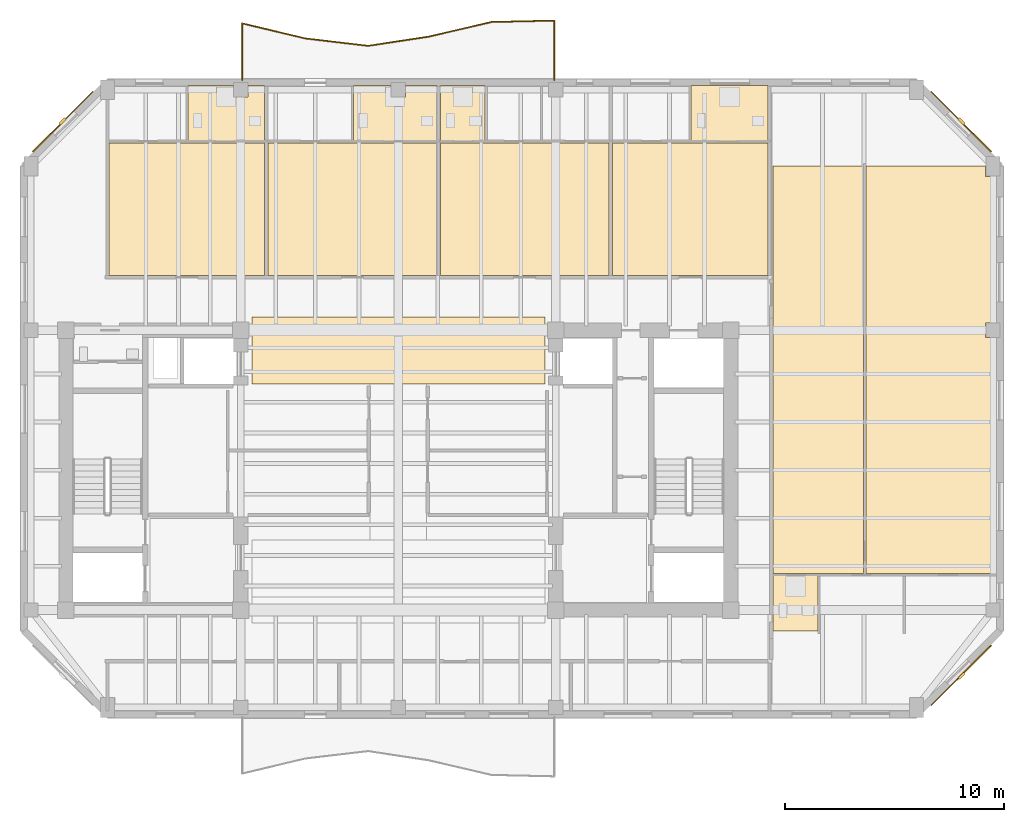
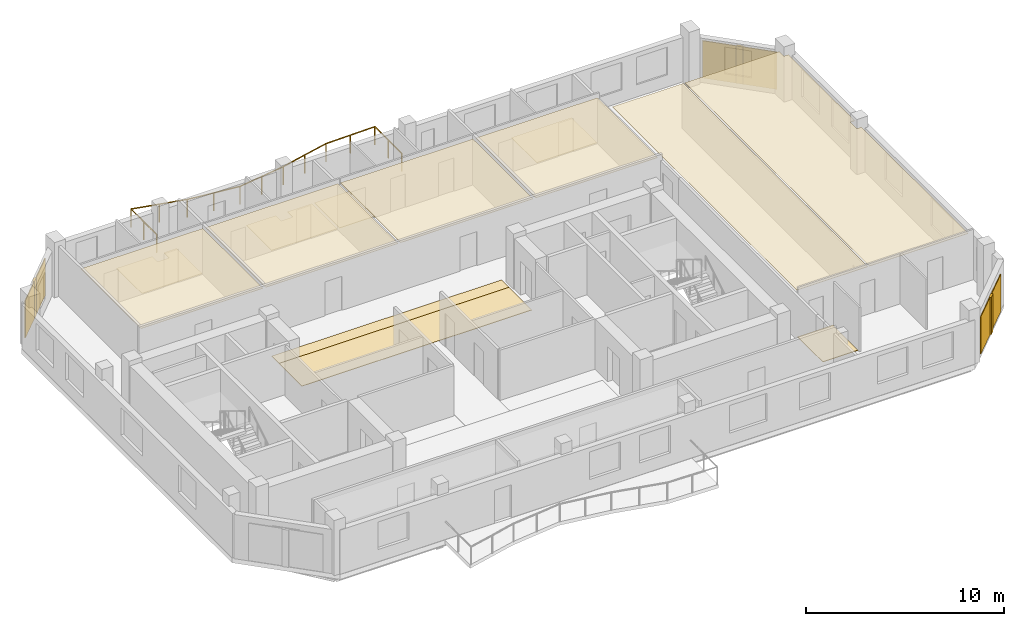
# One storey, part 8 of 9: 16 coverings, 3 shading devices, 1 railing.
"""IFC4 building model written with IfcOpenShell, lengths in metres."""

from ifc_helpers import new_model, si_unit, direction, frame, origin, origin_2d, place, context, subcontext, project, spatial, polyline, rectangle, circle, outline, extrude, material, layer, layer_set, type_object, element, save


model = new_model("IFC4")

# Units and contexts
model_context = context("Model", 3, precision=1e-05, world=origin(), true_north=direction((0.0, 1.0)))
body_context = subcontext(model_context, "Body", "Model", "MODEL_VIEW")
ifc_project = project(units=[si_unit("LENGTHUNIT", "METRE"), si_unit("AREAUNIT", "SQUARE_METRE"), si_unit("VOLUMEUNIT", "CUBIC_METRE"), si_unit("PLANEANGLEUNIT", "RADIAN"), si_unit("MASSUNIT", "GRAM", prefix="KILO")], contexts=[model_context])

# Site, building, storey
site_placement = place(None, origin())
site = spatial("IfcSite", under=ifc_project, at=site_placement, CompositionType="ELEMENT")
building_placement = place(site_placement, origin())
building = spatial("IfcBuilding", under=site, at=building_placement, Name="Kranthara Brick Stack", CompositionType="ELEMENT")
storey_placement = place(building_placement, frame((0.0, 0.0, 261.89990234375)))
storey = spatial("IfcBuildingStorey", under=building, at=storey_placement, Name="L69", CompositionType="ELEMENT", Elevation=261.89990234375)

# Coverings
ifc_material_1 = material(Name="Perforated mineral-fibre acoustic ceiling tile", Category="other")
ifc_layer_1 = layer(ifc_material_1, 0.02490234375)
ifc_layer_set_1 = layer_set([ifc_layer_1], Name="Perforated mineral-fibre acoustic ceiling tile")
covering_type_1 = type_object("IfcCoveringType", Name="COV-CEIL-ACOUSTIC", PredefinedType="CEILING", material=ifc_layer_set_1)
covering_1_placement = place(storey_placement, frame((0.0, 0.0, 2.830078125)))
element("IfcCovering", 1, at=covering_1_placement, inside=storey, type_object=covering_type_1, Name="L69 Unit L69A Studio Apartment Living Acoustic Ceiling", PredefinedType="CEILING", context=body_context, shape_type="SweptSolid", body=[
    extrude(outline(polyline([(21.886962890625, 36.10009765625), (21.886962890625, 42.169921875), (14.780029296875, 42.169921875), (14.780029296875, 36.10009765625), (21.886962890625, 36.10009765625)])), origin(), (0.0, 0.0, 1.0), 0.02490234375),
])
covering_2_placement = place(storey_placement, frame((0.0, 0.0, 2.830078125)))
element("IfcCovering", 2, at=covering_2_placement, inside=storey, type_object=covering_type_1, Name="L69 Unit L69B Studio Apartment Living Acoustic Ceiling", PredefinedType="CEILING", context=body_context, shape_type="SweptSolid", body=[
    extrude(outline(polyline([(29.760009765625, 36.10009765625), (29.760009765625, 42.169921875), (22.047119140625, 42.169921875), (22.047119140625, 36.10009765625), (29.760009765625, 36.10009765625)])), origin(), (0.0, 0.0, 1.0), 0.02490234375),
])
covering_3_placement = place(storey_placement, frame((0.0, 0.0, 2.830078125)))
element("IfcCovering", 3, at=covering_3_placement, inside=storey, type_object=covering_type_1, Name="L69 Unit L69C 1-Bed Apartment Living Dining Acoustic Ceiling", PredefinedType="CEILING", context=body_context, shape_type="SweptSolid", body=[
    extrude(outline(polyline([(37.633056640625, 36.10009765625), (37.633056640625, 42.169921875), (29.919921875, 42.169921875), (29.919921875, 36.10009765625), (37.633056640625, 36.10009765625)])), origin(), (0.0, 0.0, 1.0), 0.02490234375),
])
covering_4_placement = place(storey_placement, frame((0.0, 0.0, 2.830078125)))
element("IfcCovering", 4, at=covering_4_placement, inside=storey, type_object=covering_type_1, Name="L69 Unit L69D Studio Apartment Living Acoustic Ceiling", PredefinedType="CEILING", context=body_context, shape_type="SweptSolid", body=[
    extrude(outline(polyline([(44.89990234375, 36.10009765625), (44.89990234375, 42.169921875), (37.79296875, 42.169921875), (37.79296875, 36.10009765625), (44.89990234375, 36.10009765625)])), origin(), (0.0, 0.0, 1.0), 0.02490234375),
])
covering_5_placement = place(storey_placement, frame((0.0, 0.0, 2.830078125)))
element("IfcCovering", 5, at=covering_5_placement, inside=storey, type_object=covering_type_1, Name="L69 Unit L69E 1-Bed Apartment Living Dining Acoustic Ceiling", PredefinedType="CEILING", context=body_context, shape_type="SweptSolid", body=[
    extrude(outline(polyline([(49.279052734375, 22.47998046875), (49.279052734375, 41.10009765625), (45.139892578125, 41.10009765625), (45.139892578125, 22.47998046875), (49.279052734375, 22.47998046875)])), origin(), (0.0, 0.0, 1.0), 0.02490234375),
])
covering_6_placement = place(storey_placement, frame((0.0, 0.0, 2.830078125)))
element("IfcCovering", 6, at=covering_6_placement, inside=storey, type_object=covering_type_1, Name="L69 Unit L69E Private Study Room Acoustic Ceiling", PredefinedType="CEILING", context=body_context, shape_type="SweptSolid", body=[
    extrude(outline(polyline([(49.37890625, 22.47998046875), (49.37890625, 41.10009765625), (54.864990234375, 41.10009765625), (54.864990234375, 40.639892578125), (55.1298828125, 40.639892578125), (55.1298828125, 33.93505859375), (54.864990234375, 33.93505859375), (54.864990234375, 33.264892578125), (55.1298828125, 33.264892578125), (55.1298828125, 22.47998046875), (49.37890625, 22.47998046875)])), origin(), (0.0, 0.0, 1.0), 0.02490234375),
])
ifc_material_2 = material(Name="Warm buff kiln-fired brick slip rainscreen", Category="masonry")
ifc_layer_2 = layer(ifc_material_2, 0.044921875)
ifc_layer_set_2 = layer_set([ifc_layer_2], Name="Warm buff kiln-fired brick slip rainscreen")
covering_type_2 = type_object("IfcCoveringType", Name="COV-CLAD-BRICK", PredefinedType="CLADDING", material=ifc_layer_set_2)
for number, where, z_axis, x_axis, name in (
    (7, (12.66259765625, 43.13720703125, 0.05029296875), (0.0, 0.0, 1.0), (0.707106781187, 0.707106781187, 0.0), "L69 Chamfer Brick Rainscreen Cladding NW"),
    (8, (53.7373046875, 43.13720703125, 0.05029296875), (0.0, 0.0, 1.0), (0.707106781187, -0.707106781187, 0.0), "L69 Chamfer Brick Rainscreen Cladding NE"),
    (9, (53.7373046875, 17.812744140625, 0.05029296875), (0.0, 0.0, 1.0), (-0.707106781187, -0.707106781187, 0.0), "L69 Chamfer Brick Rainscreen Cladding SE"),
):
    element("IfcCovering", number, at=place(storey_placement, frame(where, z_axis=z_axis, x_axis=x_axis)), inside=storey, type_object=covering_type_2, Name=name, PredefinedType="CLADDING", context=body_context, shape_type="SweptSolid", body=[
        extrude(rectangle(XDim=3.889892578125, YDim=0.044921875, at=origin_2d()), origin(), (0.0, 0.0, 1.0), 2.300048828125),
    ])
ifc_material_3 = material(Name="Honed terrazzo and porcelain floor finish", Category="stone")
ifc_layer_3 = layer(ifc_material_3, 0.030029296875)
ifc_layer_set_3 = layer_set([ifc_layer_3], Name="Honed terrazzo and porcelain floor finish")
covering_type_3 = type_object("IfcCoveringType", Name="COV-FLOR-STONE", PredefinedType="FLOORING", material=ifc_layer_set_3)
covering_7_placement = place(storey_placement, origin())
element("IfcCovering", 10, at=covering_7_placement, inside=storey, type_object=covering_type_3, Name="L69 Lift Lobby Stone Flooring", PredefinedType="FLOORING", context=body_context, shape_type="SweptSolid", body=[
    extrude(outline(polyline([(34.699951171875, 31.14990234375), (34.699951171875, 33.449951171875), (21.300048828125, 33.449951171875), (21.300048828125, 31.14990234375), (34.699951171875, 31.14990234375)])), origin(), (0.0, 0.0, 1.0), 0.030029296875),
])
covering_8_placement = place(storey_placement, origin())
element("IfcCovering", 11, at=covering_8_placement, inside=storey, type_object=covering_type_3, Name="L69 Lift Lobby Stone Flooring", PredefinedType="FLOORING", context=body_context, shape_type="SweptSolid", body=[
    extrude(outline(polyline([(34.699951171875, 33.449951171875), (21.300048828125, 33.449951171875), (21.300048828125, 34.199951171875), (34.699951171875, 34.199951171875), (34.699951171875, 33.449951171875)])), origin(), (0.0, 0.0, 1.0), 0.030029296875),
])
covering_9_placement = place(storey_placement, origin())
element("IfcCovering", 12, at=covering_9_placement, inside=storey, type_object=covering_type_3, Name="L69 Wet Room Porcelain Flooring", PredefinedType="FLOORING", context=body_context, shape_type="SweptSolid", body=[
    extrude(outline(polyline([(21.886962890625, 44.800048828125), (21.886962890625, 42.25), (18.384033203125, 42.25), (18.384033203125, 44.800048828125), (20.465087890625, 44.800048828125), (20.465087890625, 44.264892578125), (21.135009765625, 44.264892578125), (21.135009765625, 44.800048828125), (21.886962890625, 44.800048828125)])), origin(), (0.0, 0.0, 1.0), 0.030029296875),
])
covering_10_placement = place(storey_placement, origin())
element("IfcCovering", 13, at=covering_10_placement, inside=storey, type_object=covering_type_3, Name="L69 Wet Room Porcelain Flooring", PredefinedType="FLOORING", context=body_context, shape_type="SweptSolid", body=[
    extrude(outline(polyline([(29.760009765625, 44.800048828125), (29.760009765625, 42.25), (25.9541015625, 42.25), (25.9541015625, 44.800048828125), (27.6650390625, 44.800048828125), (27.6650390625, 44.264892578125), (28.3349609375, 44.264892578125), (28.3349609375, 44.800048828125), (29.760009765625, 44.800048828125)])), origin(), (0.0, 0.0, 1.0), 0.030029296875),
])
covering_11_placement = place(storey_placement, origin())
element("IfcCovering", 14, at=covering_11_placement, inside=storey, type_object=covering_type_3, Name="L69 Wet Room Porcelain Flooring", PredefinedType="FLOORING", context=body_context, shape_type="SweptSolid", body=[
    extrude(outline(polyline([(31.969970703125, 42.25), (31.969970703125, 44.800048828125), (29.919921875, 44.800048828125), (29.919921875, 42.25), (31.969970703125, 42.25)])), origin(), (0.0, 0.0, 1.0), 0.030029296875),
])
covering_12_placement = place(storey_placement, origin())
element("IfcCovering", 15, at=covering_12_placement, inside=storey, type_object=covering_type_3, Name="L69 Wet Room Porcelain Flooring", PredefinedType="FLOORING", context=body_context, shape_type="SweptSolid", body=[
    extrude(outline(polyline([(44.89990234375, 42.25), (44.89990234375, 44.800048828125), (41.39599609375, 44.800048828125), (41.39599609375, 42.25), (44.89990234375, 42.25)])), origin(), (0.0, 0.0, 1.0), 0.030029296875),
])
covering_13_placement = place(storey_placement, origin())
element("IfcCovering", 16, at=covering_13_placement, inside=storey, type_object=covering_type_3, Name="L69 Wet Room Porcelain Flooring", PredefinedType="FLOORING", context=body_context, shape_type="SweptSolid", body=[
    extrude(outline(polyline([(47.18994140625, 19.85009765625), (47.18994140625, 22.39990234375), (45.139892578125, 22.39990234375), (45.139892578125, 19.85009765625), (47.18994140625, 19.85009765625)])), origin(), (0.0, 0.0, 1.0), 0.030029296875),
])

# Railing
ifc_material_4 = material(Name="Bronze anodised aluminium and laminated glass balustrade", Category="aluminium")
railing_type = type_object("IfcRailingType", Name="RL-BALC-1120", PredefinedType="BALUSTRADE", material=ifc_material_4)
railing_placement = place(storey_placement, frame((20.860107421875, 45.0400390625, 0.0)))
element("IfcRailing", 17, at=railing_placement, inside=storey, type_object=railing_type, Name="L69 North Rippling Balcony Balustrade", PredefinedType="BALUSTRADE", context=body_context, shape_type="SweptSolid", body=[
    extrude(circle(Radius=0.02392578125, at=origin_2d()), frame((0.0, 0.0, 1.09619140625), z_axis=(-0.000188111359, 0.999999982307, 0.0), x_axis=(-0.999999982307, -0.000188111359, 0.0)), (0.0, 0.0, 1.0), 2.595703125),
    extrude(circle(Radius=0.02392578125, at=origin_2d()), frame((-0.00048828125, 2.595703125, 1.09619140625), z_axis=(0.972509130676, -0.232864747767, 0.0), x_axis=(0.232864747767, 0.972509130676, 0.0)), (0.0, 0.0, 1.0), 2.9619140625),
    extrude(circle(Radius=0.02392578125, at=origin_2d()), frame((2.8798828125, 1.906005859375, 1.09619140625), z_axis=(0.993166688184, -0.116704453567, 0.0), x_axis=(0.116704453567, 0.993166688184, 0.0)), (0.0, 0.0, 1.0), 2.8994140625),
    extrude(circle(Radius=0.02392578125, at=origin_2d()), frame((5.759521484375, 1.567626953125, 1.09619140625), z_axis=(0.988714719615, 0.149810557763, 0.0), x_axis=(-0.149810557763, 0.988714719615, 0.0)), (0.0, 0.0, 1.0), 2.793212890625),
    extrude(circle(Radius=0.02392578125, at=origin_2d()), frame((8.521240234375, 1.986083984375, 1.09619140625), z_axis=(0.973962258083, 0.22671021113, 0.0), x_axis=(-0.22671021113, 0.973962258083, 0.0)), (0.0, 0.0, 1.0), 2.95703125),
    extrude(circle(Radius=0.02392578125, at=origin_2d()), frame((11.4013671875, 2.656494140625, 1.09619140625), z_axis=(0.999736070444, 0.022973668709, 0.0), x_axis=(-0.022973668709, 0.999736070444, 0.0)), (0.0, 0.0, 1.0), 2.8798828125),
    extrude(circle(Radius=0.02392578125, at=origin_2d()), frame((14.280517578125, 2.72265625, 1.09619140625), z_axis=(-0.000269010033, -0.999999963817, 0.0), x_axis=(0.999999963817, -0.000269010033, 0.0)), (0.0, 0.0, 1.0), 2.72265625),
    extrude(circle(Radius=0.02099609375, at=origin_2d()), origin(), (0.0, 0.0, 1.0), 1.072021484375),
    extrude(circle(Radius=0.02099609375, at=origin_2d()), frame((-0.000244140625, 1.2978515625, 0.0)), (0.0, 0.0, 1.0), 1.072021484375),
    extrude(circle(Radius=0.02099609375, at=origin_2d()), frame((-0.00048828125, 2.595703125, 0.0)), (0.0, 0.0, 1.0), 1.072021484375),
    extrude(circle(Radius=0.02099609375, at=origin_2d()), frame((1.439697265625, 2.2509765625, 0.0)), (0.0, 0.0, 1.0), 1.072021484375),
    extrude(circle(Radius=0.02099609375, at=origin_2d()), frame((2.8798828125, 1.906005859375, 0.0)), (0.0, 0.0, 1.0), 1.072021484375),
    extrude(circle(Radius=0.02099609375, at=origin_2d()), frame((4.31982421875, 1.73681640625, 0.0)), (0.0, 0.0, 1.0), 1.072021484375),
    extrude(circle(Radius=0.02099609375, at=origin_2d()), frame((5.759521484375, 1.567626953125, 0.0)), (0.0, 0.0, 1.0), 1.072021484375),
    extrude(circle(Radius=0.02099609375, at=origin_2d()), frame((7.140380859375, 1.77685546875, 0.0)), (0.0, 0.0, 1.0), 1.072021484375),
    extrude(circle(Radius=0.02099609375, at=origin_2d()), frame((8.521240234375, 1.986083984375, 0.0)), (0.0, 0.0, 1.0), 1.072021484375),
    extrude(circle(Radius=0.02099609375, at=origin_2d()), frame((9.96142578125, 2.3212890625, 0.0)), (0.0, 0.0, 1.0), 1.072021484375),
    extrude(circle(Radius=0.02099609375, at=origin_2d()), frame((11.4013671875, 2.656494140625, 0.0)), (0.0, 0.0, 1.0), 1.072021484375),
    extrude(circle(Radius=0.02099609375, at=origin_2d()), frame((12.8408203125, 2.689453125, 0.0)), (0.0, 0.0, 1.0), 1.072021484375),
    extrude(circle(Radius=0.02099609375, at=origin_2d()), frame((14.280517578125, 2.72265625, 0.0)), (0.0, 0.0, 1.0), 1.072021484375),
    extrude(circle(Radius=0.02099609375, at=origin_2d()), frame((14.2802734375, 1.361328125, 0.0)), (0.0, 0.0, 1.0), 1.072021484375),
    extrude(circle(Radius=0.02099609375, at=origin_2d()), frame((14.27978515625, 0.0, 0.0)), (0.0, 0.0, 1.0), 1.072021484375),
])

# Shading devices
ifc_material_5 = material(Name="Kiln-fired terracotta aerodynamic wind fin", Category="masonry")
shading_device_type = type_object("IfcShadingDeviceType", Name="SHD-BAFFLE-CORNER", PredefinedType="SHUTTER", material=ifc_material_5)
for number, where, z_axis, x_axis, name in (
    (18, (12.6416015625, 43.158447265625, 0.05029296875), (0.0, 0.0, 1.0), (0.707106781187, 0.707106781187, 0.0), "L69 Chamfer Wind-Baffle Fin NW"),
    (19, (53.758544921875, 43.158447265625, 0.05029296875), (0.0, 0.0, 1.0), (0.707106781187, -0.707106781187, 0.0), "L69 Chamfer Wind-Baffle Fin NE"),
    (20, (53.758544921875, 17.79150390625, 0.05029296875), (0.0, 0.0, 1.0), (-0.707106781187, -0.707106781187, 0.0), "L69 Chamfer Wind-Baffle Fin SE"),
):
    element("IfcShadingDevice", number, at=place(storey_placement, frame(where, z_axis=z_axis, x_axis=x_axis)), inside=storey, type_object=shading_device_type, Name=name, PredefinedType="SHUTTER", context=body_context, shape_type="SweptSolid", body=[
        extrude(rectangle(XDim=0.35009765625, YDim=0.1201171875, at=origin_2d()), origin(), (0.0, 0.0, 1.0), 2.300048828125),
    ])

save(model, "model.ifc")
